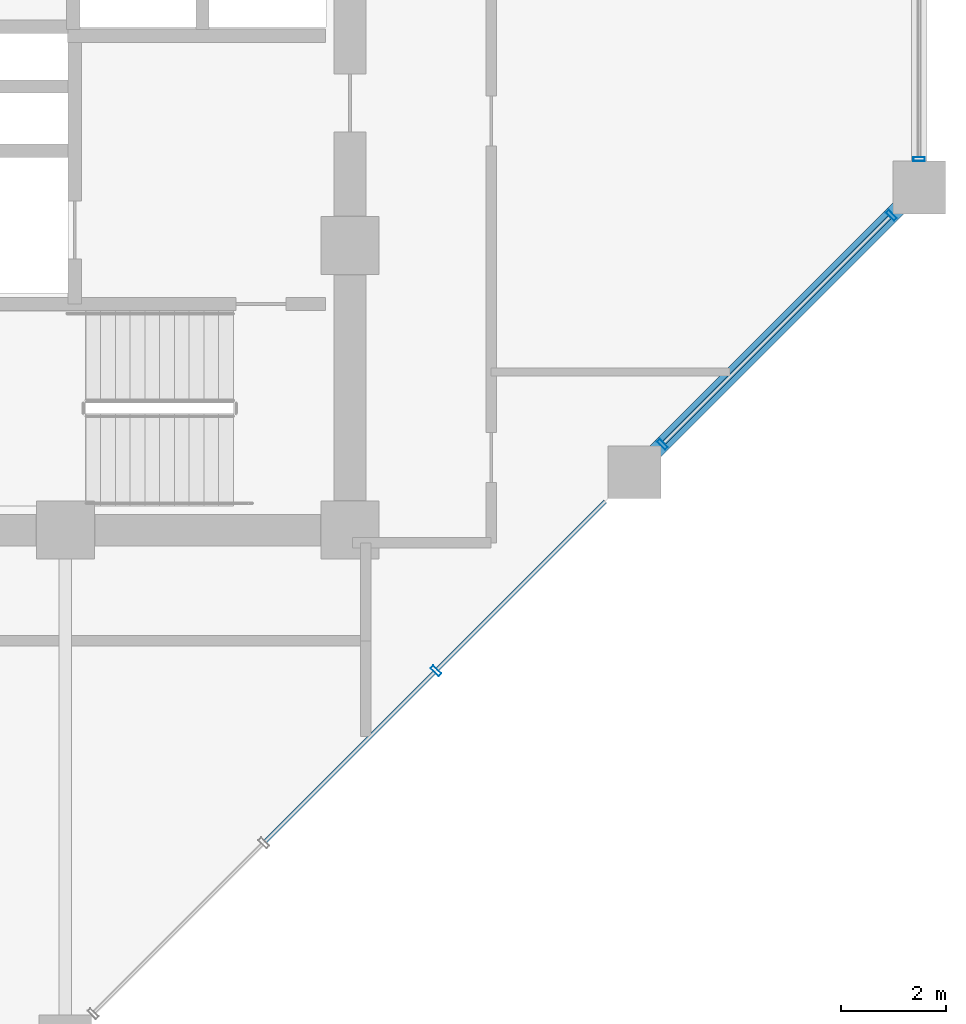
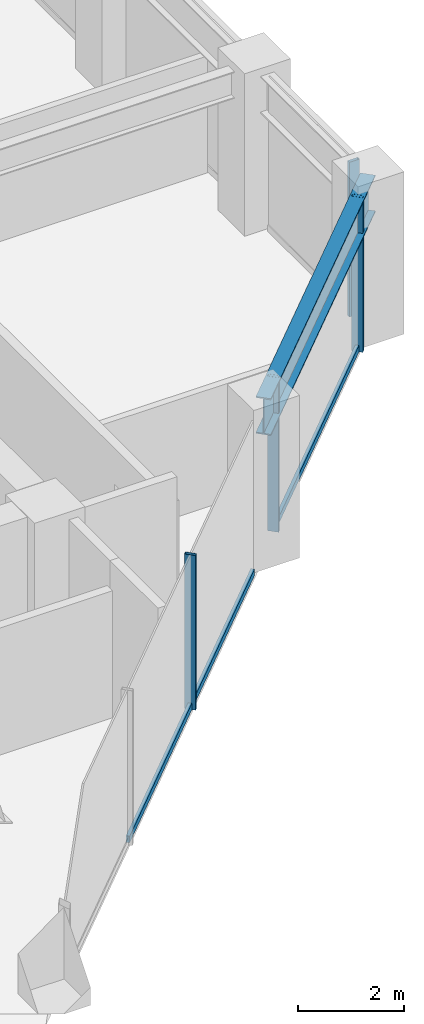
# One storey, part 8 of 23: 7 members, 1 beam, 2 elements without a shape of their own.
"""IFC4 building model written with IfcOpenShell, lengths in metres."""

import ifcopenshell
import ifcopenshell.guid

model = None  # the IFC model being written
_history = None  # IfcOwnerHistory: only IFC2X3 demands one
_inside = {}  # id of a spatial element -> (the spatial element, [elements in it])
_under = {}  # id of a project, library or spatial element -> (it, [spatial elements below it])
_declared = {}  # id of a project -> (the project, [libraries it declares])
_typed = {}  # id of a type object -> (the type object, [elements of that type])
_made_of = {}  # id of a material, layer set ... -> (it, [elements and type objects made of it])


def new_model(schema):
    """Start an empty IFC model of exactly this schema.

    Asked for "IFC4X3", IfcOpenShell would pick the latest addendum, in which some entities
    have other attributes; the version numbers below select the first issue.
    IFC2X3 requires an IfcOwnerHistory on every rooted entity: one is made here for all.
    """
    global model, _history
    if schema == "IFC4X3":
        model = ifcopenshell.file(schema_version=(4, 3, 0, 0))
    else:
        model = ifcopenshell.file(schema=schema)
    _inside.clear()
    _under.clear()
    _declared.clear()
    _typed.clear()
    _made_of.clear()
    _history = None
    if model.schema == "IFC2X3":
        org = make("IfcOrganization", Name="unknown")
        user = make(
            "IfcPersonAndOrganization",
            ThePerson=make("IfcPerson", FamilyName="unknown"),
            TheOrganization=org,
        )
        app = make(
            "IfcApplication",
            ApplicationDeveloper=org,
            Version="unknown",
            ApplicationFullName="unknown",
            ApplicationIdentifier="unknown",
        )
        _history = make(
            "IfcOwnerHistory",
            OwningUser=user,
            OwningApplication=app,
            ChangeAction="ADDED",
            CreationDate=0,
        )
    return model


def make(cls, **values):
    """One entity of the class cls with the attributes given. An attribute that is None is left unset."""
    return model.create_entity(
        cls, **{name: value for name, value in values.items() if value is not None}
    )


def rooted(cls, **values):
    """An entity with a GlobalId (a new one), such as an element, a storey or a relation."""
    return make(cls, GlobalId=ifcopenshell.guid.new(), OwnerHistory=_history, **values)


def si_unit(unit_type, name, prefix=None):
    """IfcSIUnit, for example si_unit("LENGTHUNIT", "METRE", prefix="MILLI")."""
    return make("IfcSIUnit", UnitType=unit_type, Prefix=prefix, Name=name)


def assignment(units):
    """IfcUnitAssignment: the units of a project."""
    return None if units is None else make("IfcUnitAssignment", Units=units)


def point(xyz):
    """IfcCartesianPoint."""
    return None if xyz is None else make("IfcCartesianPoint", Coordinates=xyz)


def direction(xyz):
    """IfcDirection."""
    return None if xyz is None else make("IfcDirection", DirectionRatios=xyz)


def frame(location, z_axis=None, x_axis=None):
    """IfcAxis2Placement3D, a coordinate frame: its origin and axes. An axis left out is left unset."""
    return make(
        "IfcAxis2Placement3D",
        Location=point(location),
        Axis=direction(z_axis),
        RefDirection=direction(x_axis),
    )


def frame_2d(location, x_axis=None):
    """IfcAxis2Placement2D, a coordinate frame in the plane: its origin and x axis."""
    return make(
        "IfcAxis2Placement2D", Location=point(location), RefDirection=direction(x_axis)
    )


def origin():
    """The frame at (0, 0, 0) with its axes left unset."""
    return frame((0.0, 0.0, 0.0))


def origin_2d():
    """The frame at (0, 0) in the plane with its x axis left unset."""
    return frame_2d((0.0, 0.0))


def place(relative_to, where):
    """IfcLocalPlacement: puts the frame where relative to a parent placement (None: the world)."""
    return make(
        "IfcLocalPlacement", PlacementRelTo=relative_to, RelativePlacement=where
    )


def context(
    kind, dimensions, precision=None, world=None, true_north=None, identifier=None
):
    """IfcGeometricRepresentationContext, for example the 3D "Model" context."""
    return make(
        "IfcGeometricRepresentationContext",
        ContextIdentifier=identifier,
        ContextType=kind,
        CoordinateSpaceDimension=dimensions,
        Precision=precision,
        WorldCoordinateSystem=world,
        TrueNorth=true_north,
    )


def subcontext(parent, identifier, kind, view, scale=None):
    """IfcGeometricRepresentationSubContext, for example "Body" below "Model"."""
    return make(
        "IfcGeometricRepresentationSubContext",
        ContextIdentifier=identifier,
        ContextType=kind,
        ParentContext=parent,
        TargetScale=scale,
        TargetView=view,
    )


def project(units=None, contexts=None):
    """IfcProject with its units and contexts."""
    return rooted(
        "IfcProject",
        Name="project",
        RepresentationContexts=contexts,
        UnitsInContext=assignment(units),
    )


def spatial(cls, under=None, at=None, **own):
    """A site, building, storey or space (cls), placed at a placement, below another one or the project."""
    s = rooted(cls, ObjectPlacement=at, **own)
    if under is not None:
        _under.setdefault(under.id(), (under, []))[1].append(s)
    return s


def profile(cls, at=None, kind="AREA", **sizes):
    """A parametric profile (cls). Its sizes go by their IFC names, for example OverallWidth=200.0."""
    return make(cls, ProfileType=kind, Position=at, **sizes)


def hollow_rectangle(**sizes):
    """IfcRectangleHollowProfileDef."""
    return profile("IfcRectangleHollowProfileDef", **sizes)


def i_section(**sizes):
    """IfcIShapeProfileDef."""
    return profile("IfcIShapeProfileDef", **sizes)


def extrude(swept, where, along, depth):
    """IfcExtrudedAreaSolid: the profile swept, set in the frame where, extruded along a direction by depth."""
    return make(
        "IfcExtrudedAreaSolid",
        SweptArea=swept,
        Position=where,
        ExtrudedDirection=direction(along),
        Depth=depth,
    )


def shape(context_of_items, identifier, shape_type, items):
    """IfcShapeRepresentation: the items that make up one representation, for example the "Body"."""
    return make(
        "IfcShapeRepresentation",
        ContextOfItems=context_of_items,
        RepresentationIdentifier=identifier,
        RepresentationType=shape_type,
        Items=items,
    )


def material(Name=None, Category=None):
    """IfcMaterial."""
    return make("IfcMaterial", Name=Name, Category=Category)


def layer(
    of_material, thickness, ventilated=None, Name=None, Category=None, Priority=None
):
    """IfcMaterialLayer: one layer of a wall or slab, of a material (None: an air gap)."""
    return make(
        "IfcMaterialLayer",
        Material=of_material,
        LayerThickness=thickness,
        IsVentilated=ventilated,
        Name=Name,
        Category=Category,
        Priority=Priority,
    )


def layer_set(layers, Name=None):
    """IfcMaterialLayerSet."""
    return make("IfcMaterialLayerSet", MaterialLayers=layers, LayerSetName=Name)


def material_profile(
    of_material, cross_section, Name=None, Category=None, Priority=None
):
    """IfcMaterialProfile: a cross section and its material."""
    return make(
        "IfcMaterialProfile",
        Name=Name,
        Material=of_material,
        Profile=cross_section,
        Priority=Priority,
        Category=Category,
    )


def profile_set(profiles, Name=None, composite=None):
    """IfcMaterialProfileSet."""
    return make(
        "IfcMaterialProfileSet",
        Name=Name,
        MaterialProfiles=profiles,
        CompositeProfile=composite,
    )


def made_of(thing, what):
    """Note that an element or type object is made of a material, layer set ...; save() writes the relation."""
    if what is not None:
        _made_of.setdefault(what.id(), (what, []))[1].append(thing)
    return thing


def type_object(cls, material=None, **own):
    """A type object (cls), such as IfcWallType, which elements share."""
    return made_of(rooted(cls, **own), material)


def element(
    cls,
    number,
    at=None,
    inside=None,
    cuts=None,
    type_object=None,
    material=None,
    context=None,
    identifier="Body",
    shape_type=None,
    held_by="IfcProductDefinitionShape",
    body=None,
    shapes=None,
    **own,
):
    """One element of the class cls, such as IfcWall. Its Tag is "e" and its number.

    at: its placement. inside: the storey or other place that contains it. cuts: it is an
    opening in that element (IfcRelVoidsElement). A single representation is given by context,
    identifier, shape_type and body (its items); several are given by shapes. held_by: the class
    of the entity that holds the representations. save() writes the other relations.
    """
    e = rooted(cls, Tag="e%d" % number, ObjectPlacement=at, **own)
    if body is not None:
        shapes = [shape(context, identifier, shape_type, body)]
    if shapes is not None:
        e.Representation = make(held_by, Representations=shapes)
    if inside is not None:
        _inside.setdefault(inside.id(), (inside, []))[1].append(e)
    if cuts is not None:
        rooted(
            "IfcRelVoidsElement", RelatingBuildingElement=cuts, RelatedOpeningElement=e
        )
    if type_object is not None:
        _typed.setdefault(type_object.id(), (type_object, []))[1].append(e)
    return made_of(e, material)


def aggregate(whole, parts):
    """IfcRelAggregates: a whole, such as a stair, and the parts it consists of."""
    return rooted("IfcRelAggregates", RelatingObject=whole, RelatedObjects=parts)


def save(model, path):
    """Write the relations noted so far, then the file.

    IfcRelAggregates (storeys below a building ...), IfcRelContainedInSpatialStructure (elements
    in a storey), IfcRelDefinesByType, IfcRelAssociatesMaterial and IfcRelDeclares: one each for
    every whole, place, type object, material and project.
    """
    for whole, parts in _under.values():
        aggregate(whole, parts)
    for where, things in _inside.values():
        rooted(
            "IfcRelContainedInSpatialStructure",
            RelatedElements=things,
            RelatingStructure=where,
        )
    for kind, things in _typed.values():
        rooted("IfcRelDefinesByType", RelatedObjects=things, RelatingType=kind)
    for what, things in _made_of.values():
        rooted("IfcRelAssociatesMaterial", RelatedObjects=things, RelatingMaterial=what)
    for by, libraries in _declared.values():
        rooted("IfcRelDeclares", RelatingContext=by, RelatedDefinitions=libraries)
    model.write(path)


model = new_model("IFC4")

# Units and contexts
model_context = context("Model", 3, precision=1e-05, world=origin(), true_north=direction((0.0, 1.0)))
body_context = subcontext(model_context, "Body", "Model", "MODEL_VIEW")
ifc_project = project(units=[si_unit("LENGTHUNIT", "METRE"), si_unit("AREAUNIT", "SQUARE_METRE"), si_unit("VOLUMEUNIT", "CUBIC_METRE"), si_unit("PLANEANGLEUNIT", "RADIAN"), si_unit("MASSUNIT", "GRAM", prefix="KILO")], contexts=[model_context])

# Site, building, storey
site_placement = place(None, origin())
site = spatial("IfcSite", under=ifc_project, at=site_placement, CompositionType="ELEMENT")
building_placement = place(site_placement, origin())
building = spatial("IfcBuilding", under=site, at=building_placement, Name="Surkhivell Harbour Commons", CompositionType="ELEMENT")
storey_placement = place(building_placement, frame((0.0, 0.0, 128.25)))
storey = spatial("IfcBuildingStorey", under=building, at=storey_placement, Name="L33", CompositionType="ELEMENT", Elevation=128.25)

# Beam
ifc_material_1 = material(Name="Steel S460", Category="steel")
ifc_material_profile_1 = material_profile(ifc_material_1, i_section(OverallWidth=0.2939453125, OverallDepth=0.85107421875, WebThickness=0.01611328125, FlangeThickness=0.02685546875, at=origin_2d()), Name="UB838x292x226")
ifc_profile_set_1 = profile_set([ifc_material_profile_1], Name="Steel S460")
beam_type = type_object("IfcBeamType", Name="BM-SPN-838", PredefinedType="SPANDREL", material=ifc_profile_set_1)
beam_placement = place(storey_placement, frame((16.199951171875, -9.699951171875, 3.14453125), z_axis=(0.707122765516, 0.707090796496, 0.0), x_axis=(-0.707090796496, 0.707122765516, 0.0)))
element("IfcBeam", 1, at=beam_placement, inside=storey, type_object=beam_type, Name="L33 Tube Spandrel (16.2,-9.7)", PredefinedType="SPANDREL", context=body_context, shape_type="SweptSolid", body=[
    extrude(i_section(OverallWidth=0.2939453125, OverallDepth=0.85107421875, WebThickness=0.01611328125, FlangeThickness=0.02685546875, at=origin_2d()), origin(), (0.0, 0.0, 1.0), 7.63671875),
])

# Curtain wall, members
ifc_material_2 = material(Name="Anodised pale-metal aluminium and insulated glazing", Category="aluminium")
ifc_layer = layer(ifc_material_2, 0.205078125)
ifc_layer_set = layer_set([ifc_layer], Name="Anodised pale-metal aluminium and insulated glazing")
curtain_wall_type = type_object("IfcCurtainWallType", Name="CW-SYS-Z2", PredefinedType="NOTDEFINED", material=ifc_layer_set)
curtain_wall_1_placement = place(storey_placement, origin())
curtain_wall_1 = element("IfcCurtainWall", 2, at=curtain_wall_1_placement, inside=storey, type_object=curtain_wall_type, Name="L33 Curtain Wall CW-L33-E01", PredefinedType="NOTDEFINED")
ifc_material_3 = material(Name="Anodised pale-metal aluminium alloy 6063-T6", Category="aluminium")
ifc_material_profile_2 = material_profile(ifc_material_3, hollow_rectangle(XDim=0.074951171875, YDim=0.219970703125, WallThickness=0.00390625, at=origin_2d()), Name="ALU-MULL-75x220")
ifc_profile_set_2 = profile_set([ifc_material_profile_2], Name="Anodised pale-metal aluminium alloy 6063-T6")
member_type_1 = type_object("IfcMemberType", Name="CWM-220", PredefinedType="MULLION", material=ifc_profile_set_2)
member_1_placement = place(storey_placement, frame((12.432861328125, -13.46728515625, 0.0), z_axis=(0.0, 0.0, 1.0), x_axis=(0.707106781187, 0.707106781187, 0.0)))
member_1 = element("IfcMember", 3, at=member_1_placement, type_object=member_type_1, Name="CW-Z2 mullion 4", PredefinedType="MULLION", context=body_context, shape_type="SweptSolid", body=[
    extrude(hollow_rectangle(XDim=0.074951171875, YDim=0.219970703125, WallThickness=0.00390625, at=origin_2d()), origin(), (0.0, 0.0, 1.0), 3.570068359375),
])
member_2_placement = place(storey_placement, frame((16.728271484375, -9.171875, 0.0), z_axis=(0.0, 0.0, 1.0), x_axis=(0.707106781187, 0.707106781187, 0.0)))
member_2 = element("IfcMember", 4, at=member_2_placement, type_object=member_type_1, Name="CW-Z2 mullion 5", PredefinedType="MULLION", context=body_context, shape_type="SweptSolid", body=[
    extrude(hollow_rectangle(XDim=0.074951171875, YDim=0.219970703125, WallThickness=0.00390625, at=origin_2d()), origin(), (0.0, 0.0, 1.0), 3.570068359375),
])
member_3_placement = place(storey_placement, frame((21.07177734375, -4.828125, 0.0), z_axis=(0.0, 0.0, 1.0), x_axis=(0.707106781187, 0.707106781187, 0.0)))
member_3 = element("IfcMember", 5, at=member_3_placement, type_object=member_type_1, Name="CW-Z2 mullion 6", PredefinedType="MULLION", context=body_context, shape_type="SweptSolid", body=[
    extrude(hollow_rectangle(XDim=0.074951171875, YDim=0.219970703125, WallThickness=0.00390625, at=origin_2d()), origin(), (0.0, 0.0, 1.0), 3.570068359375),
])

# Curtain wall, member
curtain_wall_2_placement = place(storey_placement, origin())
curtain_wall_2 = element("IfcCurtainWall", 6, at=curtain_wall_2_placement, inside=storey, type_object=curtain_wall_type, Name="L33 Curtain Wall CW-L33-E02", PredefinedType="NOTDEFINED")
member_4_placement = place(storey_placement, frame((21.60009765625, -3.760498046875, 0.0), z_axis=(0.0, 0.0, 1.0), x_axis=(0.0, 1.0, 0.0)))
member_4 = element("IfcMember", 7, at=member_4_placement, type_object=member_type_1, Name="CW-Z2 mullion 1", PredefinedType="MULLION", context=body_context, shape_type="SweptSolid", body=[
    extrude(hollow_rectangle(XDim=0.074951171875, YDim=0.219970703125, WallThickness=0.00390625, at=origin_2d()), origin(), (0.0, 0.0, 1.0), 3.570068359375),
])
aggregate(curtain_wall_2, [member_4])

# Member
ifc_material_profile_3 = material_profile(ifc_material_3, hollow_rectangle(XDim=0.074951171875, YDim=0.14990234375, WallThickness=0.00341796875, at=origin_2d()), Name="ALU-TRAN-75x150")
ifc_profile_set_3 = profile_set([ifc_material_profile_3], Name="Anodised pale-metal aluminium alloy 6063-T6")
member_type_2 = type_object("IfcMemberType", Name="CWT-150", PredefinedType="USERDEFINED", material=ifc_profile_set_3)
member_5_placement = place(storey_placement, frame((9.19384765625, -16.706298828125, 0.074951171875), z_axis=(0.707079911854, 0.707133649498, 0.0), x_axis=(-0.707133649498, 0.707079911854, 0.0)))
member_5 = element("IfcMember", 8, at=member_5_placement, type_object=member_type_2, Name="CW-Z2 transom 3.1", ObjectType="TRANSOM", PredefinedType="USERDEFINED", context=body_context, shape_type="SweptSolid", body=[
    extrude(hollow_rectangle(XDim=0.074951171875, YDim=0.14990234375, WallThickness=0.00341796875, at=origin_2d()), origin(), (0.0, 0.0, 1.0), 4.543212890625),
])

member_6_placement = place(storey_placement, frame((12.459228515625, -13.440673828125, 0.074951171875), z_axis=(0.707106781187, 0.707106781187, 0.0), x_axis=(-0.707106781187, 0.707106781187, 0.0)))
member_6 = element("IfcMember", 9, at=member_6_placement, type_object=member_type_2, Name="CW-Z2 transom 4.1", ObjectType="TRANSOM", PredefinedType="USERDEFINED", context=body_context, shape_type="SweptSolid", body=[
    extrude(hollow_rectangle(XDim=0.074951171875, YDim=0.14990234375, WallThickness=0.00341796875, at=origin_2d()), origin(), (0.0, 0.0, 1.0), 4.505615234375),
])

member_7_placement = place(storey_placement, frame((16.754638671875, -9.145263671875, 0.074951171875), z_axis=(0.707106781187, 0.707106781187, 0.0), x_axis=(-0.707106781187, 0.707106781187, 0.0)))
member_7 = element("IfcMember", 10, at=member_7_placement, type_object=member_type_2, Name="CW-Z2 transom 5.1", ObjectType="TRANSOM", PredefinedType="USERDEFINED", context=body_context, shape_type="SweptSolid", body=[
    extrude(hollow_rectangle(XDim=0.074951171875, YDim=0.14990234375, WallThickness=0.00341796875, at=origin_2d()), origin(), (0.0, 0.0, 1.0), 6.067626953125),
])

aggregate(curtain_wall_1, [member_1, member_5, member_6, member_2, member_3, member_7])

save(model, "model.ifc")
